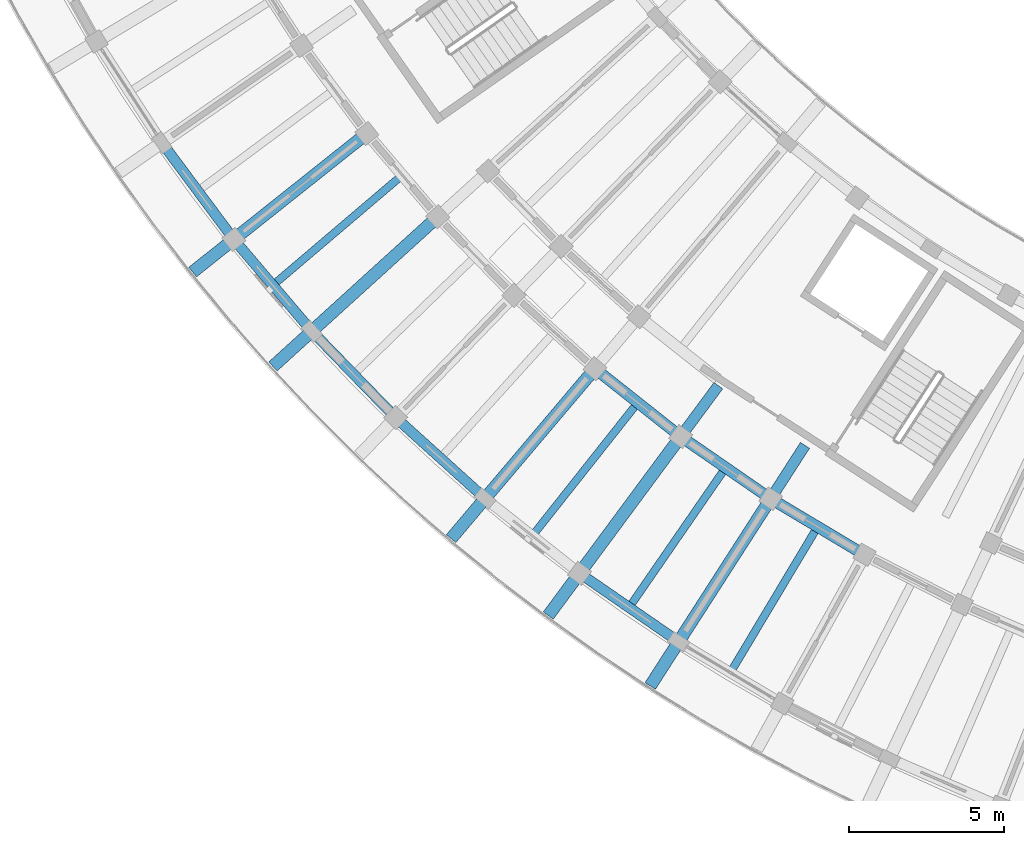
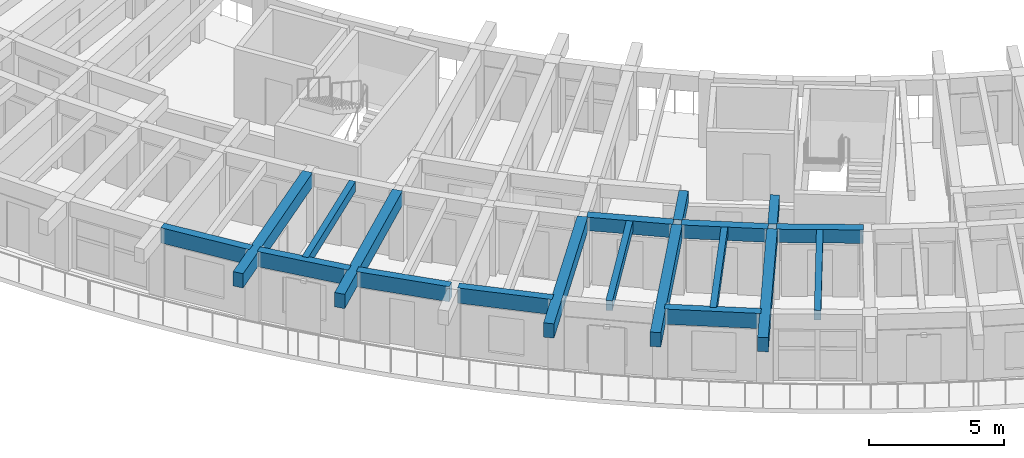
# One storey, part 4 of 78: 19 beams.
"""IFC4 building model written with IfcOpenShell, lengths in metres."""

import ifcopenshell
import ifcopenshell.guid

model = None  # the IFC model being written
_history = None  # IfcOwnerHistory: only IFC2X3 demands one
_inside = {}  # id of a spatial element -> (the spatial element, [elements in it])
_under = {}  # id of a project, library or spatial element -> (it, [spatial elements below it])
_declared = {}  # id of a project -> (the project, [libraries it declares])
_typed = {}  # id of a type object -> (the type object, [elements of that type])
_made_of = {}  # id of a material, layer set ... -> (it, [elements and type objects made of it])


def new_model(schema):
    """Start an empty IFC model of exactly this schema.

    Asked for "IFC4X3", IfcOpenShell would pick the latest addendum, in which some entities
    have other attributes; the version numbers below select the first issue.
    IFC2X3 requires an IfcOwnerHistory on every rooted entity: one is made here for all.
    """
    global model, _history
    if schema == "IFC4X3":
        model = ifcopenshell.file(schema_version=(4, 3, 0, 0))
    else:
        model = ifcopenshell.file(schema=schema)
    _inside.clear()
    _under.clear()
    _declared.clear()
    _typed.clear()
    _made_of.clear()
    _history = None
    if model.schema == "IFC2X3":
        org = make("IfcOrganization", Name="unknown")
        user = make(
            "IfcPersonAndOrganization",
            ThePerson=make("IfcPerson", FamilyName="unknown"),
            TheOrganization=org,
        )
        app = make(
            "IfcApplication",
            ApplicationDeveloper=org,
            Version="unknown",
            ApplicationFullName="unknown",
            ApplicationIdentifier="unknown",
        )
        _history = make(
            "IfcOwnerHistory",
            OwningUser=user,
            OwningApplication=app,
            ChangeAction="ADDED",
            CreationDate=0,
        )
    return model


def make(cls, **values):
    """One entity of the class cls with the attributes given. An attribute that is None is left unset."""
    return model.create_entity(
        cls, **{name: value for name, value in values.items() if value is not None}
    )


def rooted(cls, **values):
    """An entity with a GlobalId (a new one), such as an element, a storey or a relation."""
    return make(cls, GlobalId=ifcopenshell.guid.new(), OwnerHistory=_history, **values)


def si_unit(unit_type, name, prefix=None):
    """IfcSIUnit, for example si_unit("LENGTHUNIT", "METRE", prefix="MILLI")."""
    return make("IfcSIUnit", UnitType=unit_type, Prefix=prefix, Name=name)


def assignment(units):
    """IfcUnitAssignment: the units of a project."""
    return None if units is None else make("IfcUnitAssignment", Units=units)


def point(xyz):
    """IfcCartesianPoint."""
    return None if xyz is None else make("IfcCartesianPoint", Coordinates=xyz)


def direction(xyz):
    """IfcDirection."""
    return None if xyz is None else make("IfcDirection", DirectionRatios=xyz)


def frame(location, z_axis=None, x_axis=None):
    """IfcAxis2Placement3D, a coordinate frame: its origin and axes. An axis left out is left unset."""
    return make(
        "IfcAxis2Placement3D",
        Location=point(location),
        Axis=direction(z_axis),
        RefDirection=direction(x_axis),
    )


def frame_2d(location, x_axis=None):
    """IfcAxis2Placement2D, a coordinate frame in the plane: its origin and x axis."""
    return make(
        "IfcAxis2Placement2D", Location=point(location), RefDirection=direction(x_axis)
    )


def origin():
    """The frame at (0, 0, 0) with its axes left unset."""
    return frame((0.0, 0.0, 0.0))


def origin_2d():
    """The frame at (0, 0) in the plane with its x axis left unset."""
    return frame_2d((0.0, 0.0))


def place(relative_to, where):
    """IfcLocalPlacement: puts the frame where relative to a parent placement (None: the world)."""
    return make(
        "IfcLocalPlacement", PlacementRelTo=relative_to, RelativePlacement=where
    )


def context(
    kind, dimensions, precision=None, world=None, true_north=None, identifier=None
):
    """IfcGeometricRepresentationContext, for example the 3D "Model" context."""
    return make(
        "IfcGeometricRepresentationContext",
        ContextIdentifier=identifier,
        ContextType=kind,
        CoordinateSpaceDimension=dimensions,
        Precision=precision,
        WorldCoordinateSystem=world,
        TrueNorth=true_north,
    )


def subcontext(parent, identifier, kind, view, scale=None):
    """IfcGeometricRepresentationSubContext, for example "Body" below "Model"."""
    return make(
        "IfcGeometricRepresentationSubContext",
        ContextIdentifier=identifier,
        ContextType=kind,
        ParentContext=parent,
        TargetScale=scale,
        TargetView=view,
    )


def project(units=None, contexts=None):
    """IfcProject with its units and contexts."""
    return rooted(
        "IfcProject",
        Name="project",
        RepresentationContexts=contexts,
        UnitsInContext=assignment(units),
    )


def spatial(cls, under=None, at=None, **own):
    """A site, building, storey or space (cls), placed at a placement, below another one or the project."""
    s = rooted(cls, ObjectPlacement=at, **own)
    if under is not None:
        _under.setdefault(under.id(), (under, []))[1].append(s)
    return s


def profile(cls, at=None, kind="AREA", **sizes):
    """A parametric profile (cls). Its sizes go by their IFC names, for example OverallWidth=200.0."""
    return make(cls, ProfileType=kind, Position=at, **sizes)


def rectangle(**sizes):
    """IfcRectangleProfileDef."""
    return profile("IfcRectangleProfileDef", **sizes)


def extrude(swept, where, along, depth):
    """IfcExtrudedAreaSolid: the profile swept, set in the frame where, extruded along a direction by depth."""
    return make(
        "IfcExtrudedAreaSolid",
        SweptArea=swept,
        Position=where,
        ExtrudedDirection=direction(along),
        Depth=depth,
    )


def shape(context_of_items, identifier, shape_type, items):
    """IfcShapeRepresentation: the items that make up one representation, for example the "Body"."""
    return make(
        "IfcShapeRepresentation",
        ContextOfItems=context_of_items,
        RepresentationIdentifier=identifier,
        RepresentationType=shape_type,
        Items=items,
    )


def material(Name=None, Category=None):
    """IfcMaterial."""
    return make("IfcMaterial", Name=Name, Category=Category)


def material_profile(
    of_material, cross_section, Name=None, Category=None, Priority=None
):
    """IfcMaterialProfile: a cross section and its material."""
    return make(
        "IfcMaterialProfile",
        Name=Name,
        Material=of_material,
        Profile=cross_section,
        Priority=Priority,
        Category=Category,
    )


def profile_set(profiles, Name=None, composite=None):
    """IfcMaterialProfileSet."""
    return make(
        "IfcMaterialProfileSet",
        Name=Name,
        MaterialProfiles=profiles,
        CompositeProfile=composite,
    )


def made_of(thing, what):
    """Note that an element or type object is made of a material, layer set ...; save() writes the relation."""
    if what is not None:
        _made_of.setdefault(what.id(), (what, []))[1].append(thing)
    return thing


def type_object(cls, material=None, **own):
    """A type object (cls), such as IfcWallType, which elements share."""
    return made_of(rooted(cls, **own), material)


def element(
    cls,
    number,
    at=None,
    inside=None,
    cuts=None,
    type_object=None,
    material=None,
    context=None,
    identifier="Body",
    shape_type=None,
    held_by="IfcProductDefinitionShape",
    body=None,
    shapes=None,
    **own,
):
    """One element of the class cls, such as IfcWall. Its Tag is "e" and its number.

    at: its placement. inside: the storey or other place that contains it. cuts: it is an
    opening in that element (IfcRelVoidsElement). A single representation is given by context,
    identifier, shape_type and body (its items); several are given by shapes. held_by: the class
    of the entity that holds the representations. save() writes the other relations.
    """
    e = rooted(cls, Tag="e%d" % number, ObjectPlacement=at, **own)
    if body is not None:
        shapes = [shape(context, identifier, shape_type, body)]
    if shapes is not None:
        e.Representation = make(held_by, Representations=shapes)
    if inside is not None:
        _inside.setdefault(inside.id(), (inside, []))[1].append(e)
    if cuts is not None:
        rooted(
            "IfcRelVoidsElement", RelatingBuildingElement=cuts, RelatedOpeningElement=e
        )
    if type_object is not None:
        _typed.setdefault(type_object.id(), (type_object, []))[1].append(e)
    return made_of(e, material)


def aggregate(whole, parts):
    """IfcRelAggregates: a whole, such as a stair, and the parts it consists of."""
    return rooted("IfcRelAggregates", RelatingObject=whole, RelatedObjects=parts)


def save(model, path):
    """Write the relations noted so far, then the file.

    IfcRelAggregates (storeys below a building ...), IfcRelContainedInSpatialStructure (elements
    in a storey), IfcRelDefinesByType, IfcRelAssociatesMaterial and IfcRelDeclares: one each for
    every whole, place, type object, material and project.
    """
    for whole, parts in _under.values():
        aggregate(whole, parts)
    for where, things in _inside.values():
        rooted(
            "IfcRelContainedInSpatialStructure",
            RelatedElements=things,
            RelatingStructure=where,
        )
    for kind, things in _typed.values():
        rooted("IfcRelDefinesByType", RelatedObjects=things, RelatingType=kind)
    for what, things in _made_of.values():
        rooted("IfcRelAssociatesMaterial", RelatedObjects=things, RelatingMaterial=what)
    for by, libraries in _declared.values():
        rooted("IfcRelDeclares", RelatingContext=by, RelatedDefinitions=libraries)
    model.write(path)


model = new_model("IFC4")

# Units and contexts
model_context = context("Model", 3, precision=1e-05, world=origin(), true_north=direction((0.0, 1.0)))
body_context = subcontext(model_context, "Body", "Model", "MODEL_VIEW")
ifc_project = project(units=[si_unit("LENGTHUNIT", "METRE"), si_unit("AREAUNIT", "SQUARE_METRE"), si_unit("VOLUMEUNIT", "CUBIC_METRE"), si_unit("PLANEANGLEUNIT", "RADIAN"), si_unit("MASSUNIT", "GRAM", prefix="KILO")], contexts=[model_context])

# Site, building, storey
site_placement = place(None, origin())
site = spatial("IfcSite", under=ifc_project, at=site_placement, CompositionType="ELEMENT")
building_placement = place(site_placement, origin())
building = spatial("IfcBuilding", under=site, at=building_placement, Name="Tanwirah Colonnade Gardens", CompositionType="ELEMENT")
storey_placement = place(building_placement, frame((0.0, 0.0, 22.280029296875)))
storey = spatial("IfcBuildingStorey", under=building, at=storey_placement, Name="L06", CompositionType="ELEMENT", Elevation=22.280029296875)

# Beams
ifc_material_1 = material(Name="Precast concrete C40/50", Category="concrete")
ifc_material_profile_1 = material_profile(ifc_material_1, rectangle(XDim=0.360107421875, YDim=0.610107421875, at=origin_2d()), Name="PC-BM 360x610")
ifc_profile_set_1 = profile_set([ifc_material_profile_1], Name="Precast concrete C40/50")
beam_type_1 = type_object("IfcBeamType", Name="BM-PC300", PredefinedType="BEAM", material=ifc_profile_set_1)
beam_1_placement = place(storey_placement, frame((30.194580078125, 23.154052734375, 2.804931640625), z_axis=(0.783993819374, -0.620768629349, 0.0), x_axis=(0.620768629349, 0.783993819374, 0.0)))
element("IfcBeam", 1, at=beam_1_placement, inside=storey, type_object=beam_type_1, Name="Block C L06 Circumferential Beam 9-R2", PredefinedType="BEAM", context=body_context, shape_type="SweptSolid", body=[
    extrude(rectangle(XDim=0.360107421875, YDim=0.610107421875, at=origin_2d()), origin(), (0.0, 0.0, 1.0), 3.23681640625),
])
beam_2_placement = place(storey_placement, frame((32.97314453125, 20.96630859375, 2.804931640625), z_axis=(0.822889344221, -0.568201660651, 0.0), x_axis=(0.568201660651, 0.822889344221, 0.0)))
element("IfcBeam", 2, at=beam_2_placement, inside=storey, type_object=beam_type_1, Name="Block C L06 Circumferential Beam 10-R2", PredefinedType="BEAM", context=body_context, shape_type="SweptSolid", body=[
    extrude(rectangle(XDim=0.360107421875, YDim=0.610107421875, at=origin_2d()), origin(), (0.0, 0.0, 1.0), 3.237060546875),
])
beam_3_placement = place(storey_placement, frame((35.88916015625, 18.96484375, 2.804931640625), z_axis=(0.858270604513, -0.513197398111, 0.0), x_axis=(0.513197398111, 0.858270604513, 0.0)))
element("IfcBeam", 3, at=beam_3_placement, inside=storey, type_object=beam_type_1, Name="Block C L06 Circumferential Beam 11-R2", PredefinedType="BEAM", context=body_context, shape_type="SweptSolid", body=[
    extrude(rectangle(XDim=0.360107421875, YDim=0.610107421875, at=origin_2d()), origin(), (0.0, 0.0, 1.0), 3.23681640625),
])
ifc_material_profile_2 = material_profile(ifc_material_1, rectangle(XDim=0.35009765625, YDim=0.550048828125, at=origin_2d()), Name="PC-BM 350x550")
ifc_profile_set_2 = profile_set([ifc_material_profile_2], Name="Precast concrete C40/50")
beam_type_2 = type_object("IfcBeamType", Name="BM-PC350A", PredefinedType="BEAM", material=ifc_profile_set_2)
beam_4_placement = place(storey_placement, frame((34.0693359375, 22.699462890625, 2.8349609375), z_axis=(-0.594889497099, -0.803807493273, 0.0), x_axis=(0.803807493273, -0.594889497099, 0.0)))
element("IfcBeam", 4, at=beam_4_placement, inside=storey, type_object=beam_type_2, Name="Block C L06 Corridor Tie Beam 10", PredefinedType="BEAM", context=body_context, shape_type="SweptSolid", body=[
    extrude(rectangle(XDim=0.35009765625, YDim=0.550048828125, at=origin_2d()), origin(), (0.0, 0.0, 1.0), 1.900146484375),
])
beam_5_placement = place(storey_placement, frame((36.869384765625, 20.765869140625, 2.8349609375), z_axis=(-0.540984881989, -0.841032316537, 0.0), x_axis=(0.841032316537, -0.540984881989, 0.0)))
element("IfcBeam", 5, at=beam_5_placement, inside=storey, type_object=beam_type_2, Name="Block C L06 Corridor Tie Beam 11", PredefinedType="BEAM", context=body_context, shape_type="SweptSolid", body=[
    extrude(rectangle(XDim=0.35009765625, YDim=0.550048828125, at=origin_2d()), origin(), (0.0, 0.0, 1.0), 1.89990234375),
])
ifc_material_2 = material(Name="Precast concrete C45/55", Category="concrete")
ifc_material_profile_3 = material_profile(ifc_material_2, rectangle(XDim=0.39990234375, YDim=0.64990234375, at=origin_2d()), Name="PC-BM 400x650")
ifc_profile_set_3 = profile_set([ifc_material_profile_3], Name="Precast concrete C45/55")
beam_type_3 = type_object("IfcBeamType", Name="BM-PC400", PredefinedType="BEAM", material=ifc_profile_set_3)
for number, where, z_axis, x_axis, name in (
    (6, (22.58251953125, 30.759765625, 2.784912109375), (-0.782609106384, -0.622513442911, 0.0), (0.622513442911, -0.782609106384, 0.0), "Block C L06 Outer Radial Precast Girder 6"),
    (7, (24.880126953125, 28.0576171875, 2.784912109375), (-0.740229899169, -0.672353847596, 0.0), (0.672353847596, -0.740229899169, 0.0), "Block C L06 Outer Radial Precast Girder 7"),
):
    element("IfcBeam", number, at=place(storey_placement, frame(where, z_axis=z_axis, x_axis=x_axis)), inside=storey, type_object=beam_type_3, Name=name, PredefinedType="BEAM", context=body_context, shape_type="SweptSolid", body=[
        extrude(rectangle(XDim=0.39990234375, YDim=0.64990234375, at=origin_2d()), origin(), (0.0, 0.0, 1.0), 7.0498046875),
    ])
for number, where, z_axis, x_axis, name in (
    (8, (29.97998046875, 23.1328125, 2.784912109375), (-0.646119193339, -0.763236521663, 0.0), (0.763236521663, -0.646119193339, 0.0), "Block C L06 Outer Radial Precast Girder 9"),
    (9, (32.760498046875, 20.930908203125, 2.784912109375), (-0.594806754627, -0.803868723518, 0.0), (0.803868723518, -0.594806754627, 0.0), "Block C L06 Outer Radial Precast Girder 10"),
    (10, (35.67919921875, 18.915771484375, 2.784912109375), (-0.540976349149, -0.841037805132, 0.0), (0.841037805132, -0.540976349149, 0.0), "Block C L06 Outer Radial Precast Girder 11"),
):
    element("IfcBeam", number, at=place(storey_placement, frame(where, z_axis=z_axis, x_axis=x_axis)), inside=storey, type_object=beam_type_3, Name=name, PredefinedType="BEAM", context=body_context, shape_type="SweptSolid", body=[
        extrude(rectangle(XDim=0.39990234375, YDim=0.64990234375, at=origin_2d()), origin(), (0.0, 0.0, 1.0), 7.050048828125),
    ])
ifc_material_profile_4 = material_profile(ifc_material_1, rectangle(XDim=0.25, YDim=0.449951171875, at=origin_2d()), Name="PC-JST 250x450")
ifc_profile_set_4 = profile_set([ifc_material_profile_4], Name="Precast concrete C40/50")
beam_type_4 = type_object("IfcBeamType", Name="JST-PC250", PredefinedType="JOIST", material=ifc_profile_set_4)
for number, where, z_axis, x_axis, name in (
    (11, (23.732177734375, 29.409423828125, 2.885009765625), (-0.761803021124, -0.647808734895, 0.0), (0.647808734895, -0.761803021124, 0.0), "Block C L06 Precast Floor Joist 6"),
    (12, (31.370849609375, 22.03271484375, 2.885009765625), (-0.620787347885, -0.783978997617, 0.0), (0.783978997617, -0.620787347885, 0.0), "Block C L06 Precast Floor Joist 9"),
    (13, (34.220458984375, 19.924072265625, 2.885009765625), (-0.56820792868, -0.822885016138, 0.0), (0.822885016138, -0.56820792868, 0.0), "Block C L06 Precast Floor Joist 10"),
    (14, (37.20166015625, 18.006591796875, 2.885009765625), (-0.513157303227, -0.858294577721, 0.0), (0.858294577721, -0.513157303227, 0.0), "Block C L06 Precast Floor Joist 11"),
):
    element("IfcBeam", number, at=place(storey_placement, frame(where, z_axis=z_axis, x_axis=x_axis)), inside=storey, type_object=beam_type_4, Name=name, PredefinedType="JOIST", context=body_context, shape_type="SweptSolid", body=[
        extrude(rectangle(XDim=0.25, YDim=0.449951171875, at=origin_2d()), origin(), (0.0, 0.0, 1.0), 5.260009765625),
    ])
ifc_material_profile_5 = material_profile(ifc_material_1, rectangle(XDim=0.330078125, YDim=0.68994140625, at=origin_2d()), Name="PC-SP 330x690")
ifc_profile_set_5 = profile_set([ifc_material_profile_5], Name="Precast concrete C40/50")
beam_type_5 = type_object("IfcBeamType", Name="SP-PC280", PredefinedType="SPANDREL", material=ifc_profile_set_5)
beam_6_placement = place(storey_placement, frame((16.160400390625, 30.436279296875, 2.764892578125), z_axis=(0.596562665898, -0.802566499212, 0.0), x_axis=(0.802566499212, 0.596562665898, 0.0)))
element("IfcBeam", 15, at=beam_6_placement, inside=storey, type_object=beam_type_5, Name="Block C L06 Circumferential Beam 5-R3", PredefinedType="SPANDREL", context=body_context, shape_type="SweptSolid", body=[
    extrude(rectangle(XDim=0.330078125, YDim=0.68994140625, at=origin_2d()), origin(), (0.0, 0.0, 1.0), 3.596923828125),
])
for number, where, z_axis, x_axis, name in (
    (16, (18.492919921875, 27.31494140625, 2.764892578125), (0.647784367984, -0.76182374116, 0.0), (0.76182374116, 0.647784367984, 0.0), "Block C L06 Circumferential Beam 6-R3"),
    (17, (21.0244140625, 24.352783203125, 2.764892578125), (0.696231699401, -0.717817122079, 0.0), (0.717817122079, 0.696231699401, 0.0), "Block C L06 Circumferential Beam 7-R3"),
):
    element("IfcBeam", number, at=place(storey_placement, frame(where, z_axis=z_axis, x_axis=x_axis)), inside=storey, type_object=beam_type_5, Name=name, PredefinedType="SPANDREL", context=body_context, shape_type="SweptSolid", body=[
        extrude(rectangle(XDim=0.330078125, YDim=0.68994140625, at=origin_2d()), origin(), (0.0, 0.0, 1.0), 3.5966796875),
    ])
for number, where, z_axis, x_axis, name in (
    (18, (23.744384765625, 21.562744140625, 2.764892578125), (0.741682092868, -0.670751573325, 0.0), (0.670751573325, 0.741682092868, 0.0), "Block C L06 Circumferential Beam 8-R3"),
    (19, (29.70166015625, 16.545166015625, 2.764892578125), (0.822907478943, -0.568175396423, 0.0), (0.568175396423, 0.822907478943, 0.0), "Block C L06 Circumferential Beam 10-R3"),
):
    element("IfcBeam", number, at=place(storey_placement, frame(where, z_axis=z_axis, x_axis=x_axis)), inside=storey, type_object=beam_type_5, Name=name, PredefinedType="SPANDREL", context=body_context, shape_type="SweptSolid", body=[
        extrude(rectangle(XDim=0.330078125, YDim=0.68994140625, at=origin_2d()), origin(), (0.0, 0.0, 1.0), 3.596923828125),
    ])

save(model, "model.ifc")
